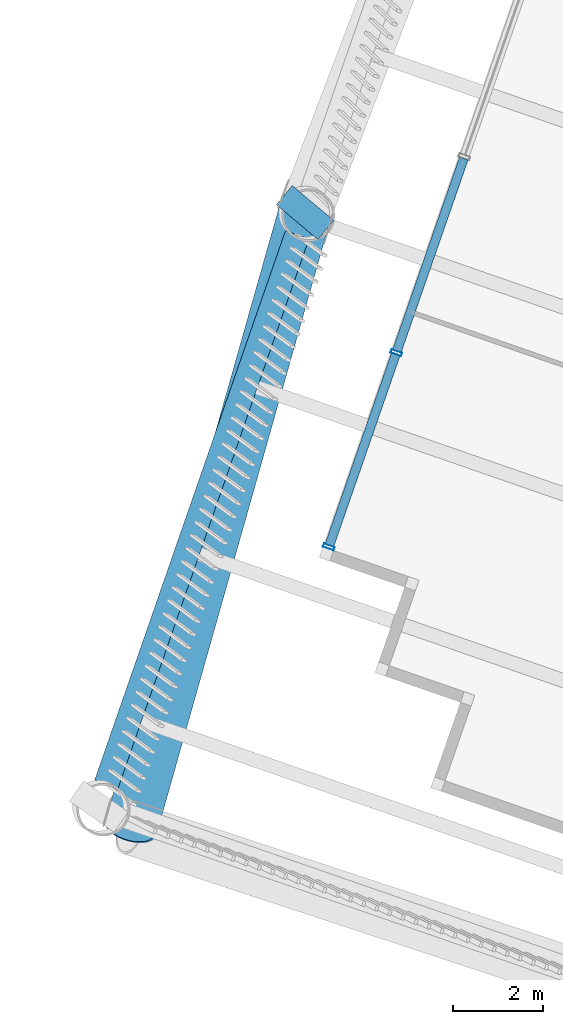
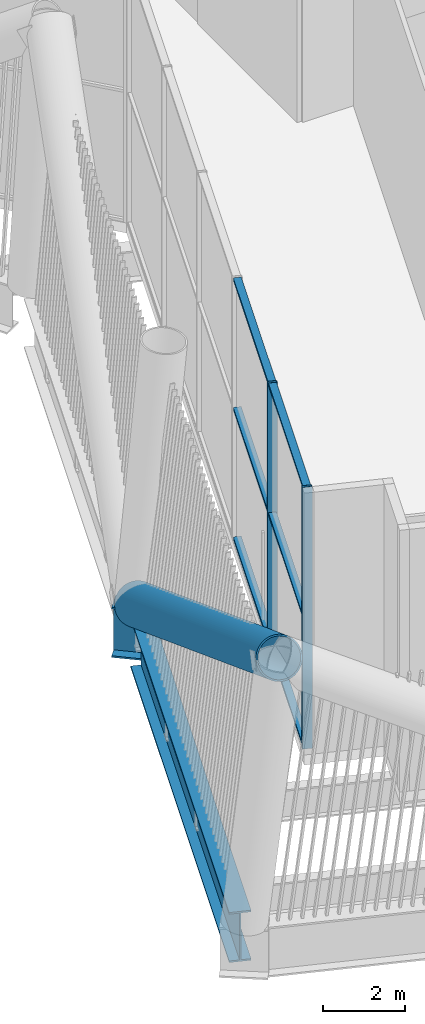
# One storey, part 2 of 63: 9 members, 2 beams, 1 element without a shape of its own.
"""IFC4 building model written with IfcOpenShell, lengths in metres."""

from ifc_helpers import new_model, si_unit, direction, frame, origin, origin_2d, place, context, subcontext, project, spatial, hollow_rectangle, hollow_circle, i_section, extrude, material, layer, layer_set, material_profile, profile_set, type_object, element, aggregate, save


model = new_model("IFC4")

# Units and contexts
model_context = context("Model", 3, precision=1e-05, world=origin(), true_north=direction((0.0, 1.0)))
body_context = subcontext(model_context, "Body", "Model", "MODEL_VIEW")
ifc_project = project(units=[si_unit("LENGTHUNIT", "METRE"), si_unit("AREAUNIT", "SQUARE_METRE"), si_unit("VOLUMEUNIT", "CUBIC_METRE"), si_unit("PLANEANGLEUNIT", "RADIAN"), si_unit("MASSUNIT", "GRAM", prefix="KILO")], contexts=[model_context])

# Site, building, storey
site_placement = place(None, origin())
site = spatial("IfcSite", under=ifc_project, at=site_placement, CompositionType="ELEMENT")
building_placement = place(site_placement, origin())
building = spatial("IfcBuilding", under=site, at=building_placement, Name="Tarsis Ring Headquarters", CompositionType="ELEMENT")
storey_placement = place(building_placement, frame((0.0, 0.0, 139.60009765625)))
storey = spatial("IfcBuildingStorey", under=building, at=storey_placement, Name="L32", CompositionType="ELEMENT", Elevation=139.60009765625)

# Curtain wall, members
ifc_material_1 = material(Name="Aluminium curtain wall", Category="aluminium")
ifc_layer = layer(ifc_material_1, 0.25)
ifc_layer_set = layer_set([ifc_layer], Name="Curtain wall sky lobby")
curtain_wall_type = type_object("IfcCurtainWallType", Name="Curtain wall sky lobby", PredefinedType="NOTDEFINED", material=ifc_layer_set)
curtain_wall_placement = place(storey_placement, origin())
curtain_wall = element("IfcCurtainWall", 1, at=curtain_wall_placement, inside=storey, type_object=curtain_wall_type, Name="Curtain wall L32-06", PredefinedType="NOTDEFINED")
ifc_material_2 = material(Name="Aluminium mullion", Category="aluminium")
ifc_material_profile_1 = material_profile(ifc_material_2, hollow_rectangle(XDim=0.25, YDim=0.080078125, WallThickness=0.0048828125, at=origin_2d()), Name="RHS 250x80x5")
ifc_profile_set_1 = profile_set([ifc_material_profile_1], Name="Aluminium mullion")
member_type_1 = type_object("IfcMemberType", Name="Curtain wall mullion sky lobby RHS 250x80x5", PredefinedType="MULLION", material=ifc_profile_set_1)
member_1_placement = place(storey_placement, frame((-24.72802734375, -34.98779296875, 0.0), z_axis=(0.0, 0.0, 1.0), x_axis=(0.94460574229, -0.328207238848, 0.0)))
member_1 = element("IfcMember", 2, at=member_1_placement, type_object=member_type_1, Name="CW-S mullion 5", PredefinedType="MULLION", context=body_context, shape_type="SweptSolid", body=[
    extrude(hollow_rectangle(XDim=0.25, YDim=0.080078125, WallThickness=0.0048828125, at=origin_2d()), origin(), (0.0, 0.0, 1.0), 7.83984375),
])
member_2_placement = place(storey_placement, frame((-26.219482421875, -39.280517578125, 0.0), z_axis=(0.0, 0.0, 1.0), x_axis=(0.94460574229, -0.328207238848, 0.0)))
member_2 = element("IfcMember", 3, at=member_2_placement, type_object=member_type_1, Name="CW-S mullion 6", PredefinedType="MULLION", context=body_context, shape_type="SweptSolid", body=[
    extrude(hollow_rectangle(XDim=0.25, YDim=0.080078125, WallThickness=0.0048828125, at=origin_2d()), origin(), (0.0, 0.0, 1.0), 7.83984375),
])
ifc_material_3 = material(Name="Aluminium transom", Category="aluminium")
ifc_material_profile_2 = material_profile(ifc_material_3, hollow_rectangle(XDim=0.199951171875, YDim=0.080078125, WallThickness=0.0048828125, at=origin_2d()), Name="RHS 200x80x5")
ifc_profile_set_2 = profile_set([ifc_material_profile_2], Name="Aluminium transom")
member_type_2 = type_object("IfcMemberType", Name="Curtain wall transom sky lobby RHS 200x80x5", PredefinedType="USERDEFINED", material=ifc_profile_set_2)
member_3_placement = place(storey_placement, frame((-23.236572265625, -30.695068359375, 0.039794921875), z_axis=(-0.328186350353, -0.944612999827, 0.0), x_axis=(0.944612999827, -0.328186350353, 0.0)))
member_3 = element("IfcMember", 4, at=member_3_placement, type_object=member_type_2, Name="CW-S transom 4.1", ObjectType="TRANSOM", PredefinedType="USERDEFINED", context=body_context, shape_type="SweptSolid", body=[
    extrude(hollow_rectangle(XDim=0.199951171875, YDim=0.080078125, WallThickness=0.0048828125, at=origin_2d()), origin(), (0.0, 0.0, 1.0), 4.50439453125),
])
member_4_placement = place(storey_placement, frame((-23.236572265625, -30.695068359375, 3.919921875), z_axis=(-0.328186350353, -0.944612999827, 0.0), x_axis=(0.944612999827, -0.328186350353, 0.0)))
member_4 = element("IfcMember", 5, at=member_4_placement, type_object=member_type_2, Name="CW-S transom 4.2", ObjectType="TRANSOM", PredefinedType="USERDEFINED", context=body_context, shape_type="SweptSolid", body=[
    extrude(hollow_rectangle(XDim=0.199951171875, YDim=0.080078125, WallThickness=0.0048828125, at=origin_2d()), origin(), (0.0, 0.0, 1.0), 4.50439453125),
])
member_5_placement = place(storey_placement, frame((-23.236572265625, -30.695068359375, 7.7998046875), z_axis=(-0.328186350353, -0.944612999827, 0.0), x_axis=(0.944612999827, -0.328186350353, 0.0)))
member_5 = element("IfcMember", 6, at=member_5_placement, type_object=member_type_2, Name="CW-S transom 4.3", ObjectType="TRANSOM", PredefinedType="USERDEFINED", context=body_context, shape_type="SweptSolid", body=[
    extrude(hollow_rectangle(XDim=0.199951171875, YDim=0.080078125, WallThickness=0.0048828125, at=origin_2d()), origin(), (0.0, 0.0, 1.0), 4.50439453125),
])
member_6_placement = place(storey_placement, frame((-24.7412109375, -35.025634765625, 0.039794921875), z_axis=(-0.328179106918, -0.944615516378, 0.0), x_axis=(0.944615516378, -0.328179106918, 0.0)))
member_6 = element("IfcMember", 7, at=member_6_placement, type_object=member_type_2, Name="CW-S transom 5.1", ObjectType="TRANSOM", PredefinedType="USERDEFINED", context=body_context, shape_type="SweptSolid", body=[
    extrude(hollow_rectangle(XDim=0.199951171875, YDim=0.080078125, WallThickness=0.0048828125, at=origin_2d()), origin(), (0.0, 0.0, 1.0), 4.46435546875),
])
member_7_placement = place(storey_placement, frame((-24.7412109375, -35.025634765625, 3.919921875), z_axis=(-0.328179106918, -0.944615516378, 0.0), x_axis=(0.944615516378, -0.328179106918, 0.0)))
member_7 = element("IfcMember", 8, at=member_7_placement, type_object=member_type_2, Name="CW-S transom 5.2", ObjectType="TRANSOM", PredefinedType="USERDEFINED", context=body_context, shape_type="SweptSolid", body=[
    extrude(hollow_rectangle(XDim=0.199951171875, YDim=0.080078125, WallThickness=0.0048828125, at=origin_2d()), origin(), (0.0, 0.0, 1.0), 4.46435546875),
])
member_8_placement = place(storey_placement, frame((-24.7412109375, -35.025634765625, 7.7998046875), z_axis=(-0.328179106918, -0.944615516378, 0.0), x_axis=(0.944615516378, -0.328179106918, 0.0)))
member_8 = element("IfcMember", 9, at=member_8_placement, type_object=member_type_2, Name="CW-S transom 5.3", ObjectType="TRANSOM", PredefinedType="USERDEFINED", context=body_context, shape_type="SweptSolid", body=[
    extrude(hollow_rectangle(XDim=0.199951171875, YDim=0.080078125, WallThickness=0.0048828125, at=origin_2d()), origin(), (0.0, 0.0, 1.0), 4.46435546875),
])
aggregate(curtain_wall, [member_1, member_2, member_3, member_4, member_5, member_6, member_7, member_8])

# Member
ifc_material_4 = material(Name="Structural steel S355", Category="steel")
ifc_material_profile_3 = material_profile(ifc_material_4, hollow_circle(Radius=0.584228515625, WallThickness=0.044921875, at=origin_2d()), Name="CHS 1168x45")
ifc_profile_set_3 = profile_set([ifc_material_profile_3], Name="Structural steel S355")
member_type_3 = type_object("IfcMemberType", Name="TD Belt truss diagonal CHS 1168x45", PredefinedType="BRACE", material=ifc_profile_set_3)
member_9_placement = place(storey_placement, frame((-26.74658203125, -31.885498046875, 0.0), z_axis=(-0.236943045753, -0.837680316589, 0.492087065739), x_axis=(0.962247057306, -0.2721775169, 0.0)))
element("IfcMember", 10, at=member_9_placement, inside=storey, type_object=member_type_3, Name="Belt truss diagonal TD3", PredefinedType="BRACE", context=body_context, shape_type="SweptSolid", body=[
    extrude(hollow_circle(Radius=0.584228515625, WallThickness=0.044921875, at=origin_2d()), origin(), (0.0, 0.0, 1.0), 16.25732421875),
])

# Beams
ifc_material_profile_4 = material_profile(ifc_material_4, i_section(OverallWidth=0.550048828125, OverallDepth=1.5, WebThickness=0.030029296875, FlangeThickness=0.050048828125, at=origin_2d()), Name="PG 1500x550x30x50")
ifc_profile_set_4 = profile_set([ifc_material_profile_4], Name="Structural steel S355")
beam_type = type_object("IfcBeamType", Name="XG Ring girder PG 1500x550x30x50", PredefinedType="BEAM", material=ifc_profile_set_4)
beam_1_placement = place(storey_placement, frame((-27.2041015625, -31.501708984375, -0.725341796875), z_axis=(0.766149536464, -0.642662343518, 0.0), x_axis=(0.642662343518, 0.766149536464, 0.0)))
element("IfcBeam", 11, at=beam_1_placement, inside=storey, type_object=beam_type, Name="Ring girder XG6", PredefinedType="BEAM", context=body_context, shape_type="SweptSolid", body=[
    extrude(i_section(OverallWidth=0.550048828125, OverallDepth=1.5, WebThickness=0.030029296875, FlangeThickness=0.050048828125, at=origin_2d()), origin(), (0.0, 0.0, 1.0), 1.199951171875),
])
beam_2_placement = place(storey_placement, frame((-26.919189453125, -32.38232421875, -0.75), z_axis=(-0.328217017414, -0.94460234463, 0.0), x_axis=(0.94460234463, -0.328217017414, 0.0)))
element("IfcBeam", 12, at=beam_2_placement, inside=storey, type_object=beam_type, Name="Ring girder XG6", PredefinedType="BEAM", context=body_context, shape_type="SweptSolid", body=[
    extrude(i_section(OverallWidth=0.550048828125, OverallDepth=1.5, WebThickness=0.030029296875, FlangeThickness=0.050048828125, at=origin_2d()), origin(), (0.0, 0.0, 1.0), 12.8505859375),
])

save(model, "model.ifc")
